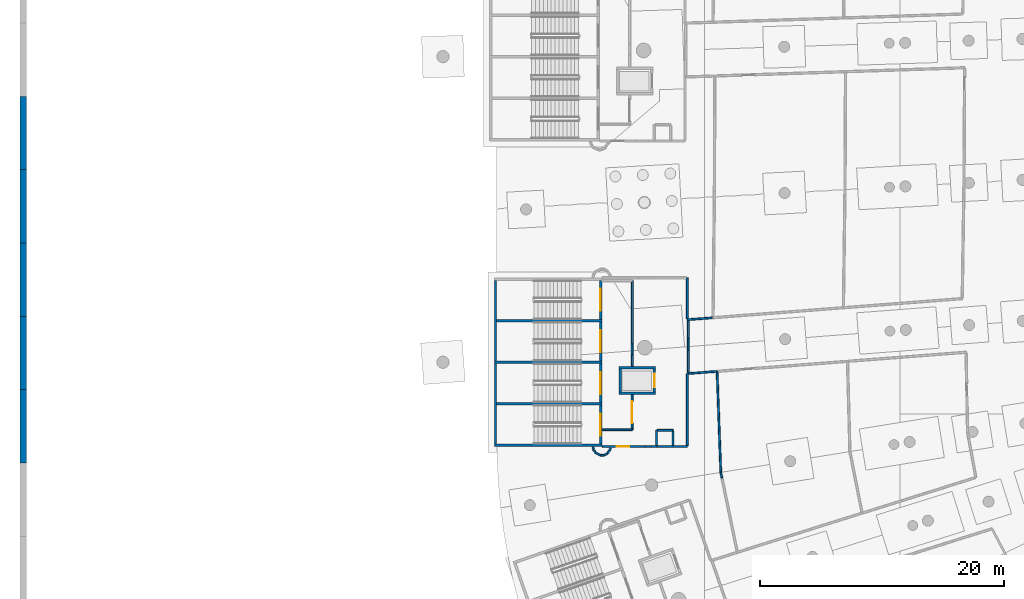
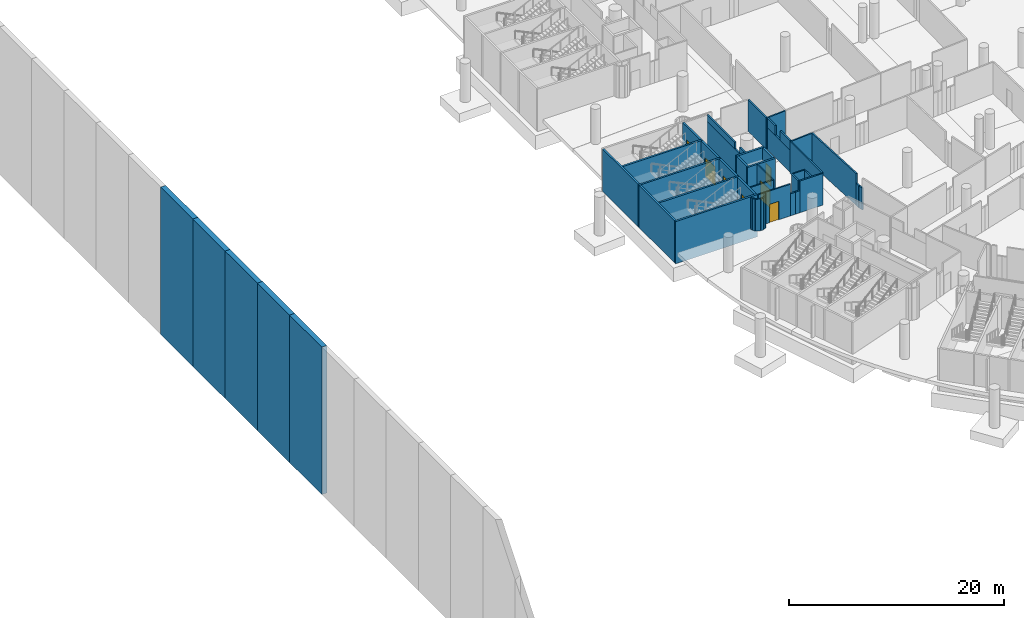
# One storey, part 44 of 142: 47 walls, 7 doors, 7 openings.
"""IFC4 building model written with IfcOpenShell, lengths in metres."""

from ifc_helpers import new_model, si_unit, direction, frame, frame_2d, origin, place, context, subcontext, project, spatial, rectangle, extrude, material, layer, layer_set, type_object, element, fill, save


model = new_model("IFC4")

# Units and contexts
model_context = context("Model", 3, precision=1e-05, world=origin(), true_north=direction((0.0, 1.0)))
body_context = subcontext(model_context, "Body", "Model", "MODEL_VIEW")
ifc_project = project(units=[si_unit("LENGTHUNIT", "METRE"), si_unit("AREAUNIT", "SQUARE_METRE"), si_unit("VOLUMEUNIT", "CUBIC_METRE"), si_unit("PLANEANGLEUNIT", "RADIAN"), si_unit("MASSUNIT", "GRAM", prefix="KILO")], contexts=[model_context])

# Site, building, storey
site_placement = place(None, origin())
site = spatial("IfcSite", under=ifc_project, at=site_placement, CompositionType="ELEMENT")
building_placement = place(site_placement, origin())
building = spatial("IfcBuilding", under=site, at=building_placement, Name="Meseta Stadium", CompositionType="ELEMENT")
storey_placement = place(building_placement, frame((0.0, 0.0, -4.0)))
storey = spatial("IfcBuildingStorey", under=building, at=storey_placement, Name="B1", CompositionType="ELEMENT", Elevation=-4.0)

# Walls
ifc_material_1 = material(Name="Concrete C40/50", Category="concrete")
ifc_layer_1 = layer(ifc_material_1, 0.199951171875)
ifc_layer_set_1 = layer_set([ifc_layer_1], Name="Core divider wall 200")
wall_type_1 = type_object("IfcWallType", Name="Core divider wall 200", PredefinedType="SHEAR", material=ifc_layer_set_1)
for number, where, z_axis, x_axis, name in (
    (1, (-97.199951171875, -40.35009765625, -1.199951171875), (0.0, 0.0, 1.0), (1.0, 0.0, 0.0), "Core 19 B1 stair A divider wall"),
    (2, (-97.199951171875, -47.14990234375, -1.199951171875), (0.0, 0.0, 1.0), (1.0, 0.0, 0.0), "Core 19 B1 stair B divider wall"),
):
    element("IfcWall", number, at=place(storey_placement, frame(where, z_axis=z_axis, x_axis=x_axis)), inside=storey, type_object=wall_type_1, Name=name, PredefinedType="SHEAR", context=body_context, shape_type="SweptSolid", body=[
        extrude(rectangle(XDim=8.800048828125, YDim=0.199951171875, at=frame_2d((4.39990234375, 0.0))), origin(), (0.0, 0.0, 1.0), 4.800048828125),
    ])
ifc_material_2 = material(Name="Concrete C40/50", Category="concrete")
ifc_layer_2 = layer(ifc_material_2, 0.199951171875)
ifc_layer_set_2 = layer_set([ifc_layer_2], Name="Core shaft wall 200")
wall_type_2 = type_object("IfcWallType", Name="Core shaft wall 200", PredefinedType="SHEAR", material=ifc_layer_set_2)
for number, where, z_axis, x_axis, name in (
    (3, (-97.199951171875, -43.75, -1.199951171875), (0.0, 0.0, 1.0), (1.0, 0.0, 0.0), "Core 19 B1 stair wall shared"),
    (4, (-97.199951171875, -50.550048828125, -1.199951171875), (0.0, 0.0, 1.0), (1.0, 0.0, 0.0), "Core 19 B1 stair wall B-side"),
):
    element("IfcWall", number, at=place(storey_placement, frame(where, z_axis=z_axis, x_axis=x_axis)), inside=storey, type_object=wall_type_2, Name=name, PredefinedType="SHEAR", context=body_context, shape_type="SweptSolid", body=[
        extrude(rectangle(XDim=8.800048828125, YDim=0.199951171875, at=frame_2d((4.39990234375, 0.0))), origin(), (0.0, 0.0, 1.0), 4.800048828125),
    ])
for number, where, z_axis, x_axis, name in (
    (5, (-97.10009765625, -37.050048828125, -1.199951171875), (0.0, 0.0, 1.0), (0.0, -1.0, 0.0), "Core 19 B1 stair A outer end wall"),
    (6, (-97.10009765625, -43.85009765625, -1.199951171875), (0.0, 0.0, 1.0), (0.0, -1.0, 0.0), "Core 19 B1 stair B outer end wall"),
):
    element("IfcWall", number, at=place(storey_placement, frame(where, z_axis=z_axis, x_axis=x_axis)), inside=storey, type_object=wall_type_2, Name=name, PredefinedType="SHEAR", context=body_context, shape_type="SweptSolid", body=[
        extrude(rectangle(XDim=6.599853515625, YDim=0.199951171875, at=frame_2d((3.2998046875, 0.0))), origin(), (0.0, 0.0, 1.0), 4.800048828125),
    ])

# Wall, opening, door
wall_1_placement = place(storey_placement, frame((-88.5, -37.050048828125, -1.199951171875), z_axis=(0.0, 0.0, 1.0), x_axis=(0.0, -1.0, 0.0)))
wall_1 = element("IfcWall", 7, at=wall_1_placement, inside=storey, type_object=wall_type_2, Name="Core 19 B1 stair A1 inner end wall", PredefinedType="SHEAR", context=body_context, shape_type="SweptSolid", body=[
    extrude(rectangle(XDim=3.199951171875, YDim=0.199951171875, at=frame_2d((1.60009765625, 0.0))), origin(), (0.0, 0.0, 1.0), 4.800048828125),
])
opening_1_placement = place(wall_1_placement, frame((0.699951171875, 0.0, 1.199951171875)))
opening_1 = element("IfcOpeningElement", 8, at=opening_1_placement, cuts=wall_1, Name="Opening D257", PredefinedType="OPENING", context=body_context, shape_type="SweptSolid", body=[
    extrude(rectangle(XDim=1.800048828125, YDim=2.10009765625, at=frame_2d((0.89990234375, 1.050048828125))), frame((0.0, 0.10986328125, 0.0), z_axis=(0.0, -1.0, 0.0), x_axis=(1.0, 0.0, 0.0)), (0.0, 0.0, 1.0), 0.219970703125),
])
ifc_material_3 = material(Name="Steel", Category="steel")
door_type_1 = type_object("IfcDoorType", Name="Stair door 1800x2100", OperationType="DOUBLE_DOOR_SINGLE_SWING", PredefinedType="DOOR", material=ifc_material_3)
door_1_placement = place(opening_1_placement, origin())
door_1 = element("IfcDoor", 9, at=door_1_placement, inside=storey, type_object=door_type_1, Name="Stair A1 door 19 B1", OperationType="DOUBLE_DOOR_SINGLE_SWING", OverallHeight=2.10009765625, OverallWidth=1.800048828125, PredefinedType="DOOR", context=body_context, shape_type="SweptSolid", body=[
    extrude(rectangle(XDim=1.800048828125, YDim=2.10009765625, at=frame_2d((0.89990234375, 1.050048828125))), frame((0.0, 0.02490234375, 0.0), z_axis=(0.0, -1.0, 0.0), x_axis=(1.0, 0.0, 0.0)), (0.0, 0.0, 1.0), 0.050048828125),
])
fill(opening_1, door_1)

wall_2_placement = place(storey_placement, frame((-88.5, -40.449951171875, -1.199951171875), z_axis=(0.0, 0.0, 1.0), x_axis=(0.0, -1.0, 0.0)))
wall_2 = element("IfcWall", 10, at=wall_2_placement, inside=storey, type_object=wall_type_2, Name="Core 19 B1 stair A2 inner end wall", PredefinedType="SHEAR", context=body_context, shape_type="SweptSolid", body=[
    extrude(rectangle(XDim=3.199951171875, YDim=0.199951171875, at=frame_2d((1.60009765625, 0.0))), origin(), (0.0, 0.0, 1.0), 4.800048828125),
])
opening_2_placement = place(wall_2_placement, frame((0.699951171875, 0.0, 1.199951171875)))
opening_2 = element("IfcOpeningElement", 11, at=opening_2_placement, cuts=wall_2, Name="Opening D258", PredefinedType="OPENING", context=body_context, shape_type="SweptSolid", body=[
    extrude(rectangle(XDim=1.800048828125, YDim=2.10009765625, at=frame_2d((0.89990234375, 1.050048828125))), frame((0.0, 0.10986328125, 0.0), z_axis=(0.0, -1.0, 0.0), x_axis=(1.0, 0.0, 0.0)), (0.0, 0.0, 1.0), 0.219970703125),
])
door_2_placement = place(opening_2_placement, origin())
door_2 = element("IfcDoor", 12, at=door_2_placement, inside=storey, type_object=door_type_1, Name="Stair A2 door 19 B1", OperationType="DOUBLE_DOOR_SINGLE_SWING", OverallHeight=2.10009765625, OverallWidth=1.800048828125, PredefinedType="DOOR", context=body_context, shape_type="SweptSolid", body=[
    extrude(rectangle(XDim=1.800048828125, YDim=2.10009765625, at=frame_2d((0.89990234375, 1.050048828125))), frame((0.0, 0.02490234375, 0.0), z_axis=(0.0, -1.0, 0.0), x_axis=(1.0, 0.0, 0.0)), (0.0, 0.0, 1.0), 0.050048828125),
])
fill(opening_2, door_2)

wall_3_placement = place(storey_placement, frame((-88.5, -43.85009765625, -1.199951171875), z_axis=(0.0, 0.0, 1.0), x_axis=(0.0, -1.0, 0.0)))
wall_3 = element("IfcWall", 13, at=wall_3_placement, inside=storey, type_object=wall_type_2, Name="Core 19 B1 stair B1 inner end wall", PredefinedType="SHEAR", context=body_context, shape_type="SweptSolid", body=[
    extrude(rectangle(XDim=3.199951171875, YDim=0.199951171875, at=frame_2d((1.60009765625, 0.0))), origin(), (0.0, 0.0, 1.0), 4.800048828125),
])
opening_3_placement = place(wall_3_placement, frame((0.699951171875, 0.0, 1.199951171875)))
opening_3 = element("IfcOpeningElement", 14, at=opening_3_placement, cuts=wall_3, Name="Opening D259", PredefinedType="OPENING", context=body_context, shape_type="SweptSolid", body=[
    extrude(rectangle(XDim=1.800048828125, YDim=2.10009765625, at=frame_2d((0.89990234375, 1.050048828125))), frame((0.0, 0.10986328125, 0.0), z_axis=(0.0, -1.0, 0.0), x_axis=(1.0, 0.0, 0.0)), (0.0, 0.0, 1.0), 0.219970703125),
])
door_3_placement = place(opening_3_placement, origin())
door_3 = element("IfcDoor", 15, at=door_3_placement, inside=storey, type_object=door_type_1, Name="Stair B1 door 19 B1", OperationType="DOUBLE_DOOR_SINGLE_SWING", OverallHeight=2.10009765625, OverallWidth=1.800048828125, PredefinedType="DOOR", context=body_context, shape_type="SweptSolid", body=[
    extrude(rectangle(XDim=1.800048828125, YDim=2.10009765625, at=frame_2d((0.89990234375, 1.050048828125))), frame((0.0, 0.02490234375, 0.0), z_axis=(0.0, -1.0, 0.0), x_axis=(1.0, 0.0, 0.0)), (0.0, 0.0, 1.0), 0.050048828125),
])
fill(opening_3, door_3)

wall_4_placement = place(storey_placement, frame((-88.5, -47.25, -1.199951171875), z_axis=(0.0, 0.0, 1.0), x_axis=(0.0, -1.0, 0.0)))
wall_4 = element("IfcWall", 16, at=wall_4_placement, inside=storey, type_object=wall_type_2, Name="Core 19 B1 stair B2 inner end wall", PredefinedType="SHEAR", context=body_context, shape_type="SweptSolid", body=[
    extrude(rectangle(XDim=3.199951171875, YDim=0.199951171875, at=frame_2d((1.60009765625, 0.0))), origin(), (0.0, 0.0, 1.0), 4.800048828125),
])
opening_4_placement = place(wall_4_placement, frame((0.699951171875, 0.0, 1.199951171875)))
opening_4 = element("IfcOpeningElement", 17, at=opening_4_placement, cuts=wall_4, Name="Opening D260", PredefinedType="OPENING", context=body_context, shape_type="SweptSolid", body=[
    extrude(rectangle(XDim=1.800048828125, YDim=2.10009765625, at=frame_2d((0.89990234375, 1.050048828125))), frame((0.0, 0.10986328125, 0.0), z_axis=(0.0, -1.0, 0.0), x_axis=(1.0, 0.0, 0.0)), (0.0, 0.0, 1.0), 0.219970703125),
])
door_4_placement = place(opening_4_placement, origin())
door_4 = element("IfcDoor", 18, at=door_4_placement, inside=storey, type_object=door_type_1, Name="Stair B2 door 19 B1", OperationType="DOUBLE_DOOR_SINGLE_SWING", OverallHeight=2.10009765625, OverallWidth=1.800048828125, PredefinedType="DOOR", context=body_context, shape_type="SweptSolid", body=[
    extrude(rectangle(XDim=1.800048828125, YDim=2.10009765625, at=frame_2d((0.89990234375, 1.050048828125))), frame((0.0, 0.02490234375, 0.0), z_axis=(0.0, -1.0, 0.0), x_axis=(1.0, 0.0, 0.0)), (0.0, 0.0, 1.0), 0.050048828125),
])
fill(opening_4, door_4)

# Walls
for number, where, z_axis, x_axis, name in (
    (19, (-87.0, -44.199951171875, -1.199951171875), (0.0, 0.0, 1.0), (1.0, 0.0, 0.0), "Core 19 B1 lift shaft wall left"),
    (20, (-87.0, -46.300048828125, -1.199951171875), (0.0, 0.0, 1.0), (1.0, 0.0, 0.0), "Core 19 B1 lift shaft wall right"),
):
    element("IfcWall", number, at=place(storey_placement, frame(where, z_axis=z_axis, x_axis=x_axis)), inside=storey, type_object=wall_type_2, Name=name, PredefinedType="SHEAR", context=body_context, shape_type="SweptSolid", body=[
        extrude(rectangle(XDim=3.0, YDim=0.199951171875, at=frame_2d((1.5, 0.0))), origin(), (0.0, 0.0, 1.0), 4.800048828125),
    ])
wall_5_placement = place(storey_placement, frame((-86.89990234375, -44.300048828125, -1.199951171875), z_axis=(0.0, 0.0, 1.0), x_axis=(0.0, -1.0, 0.0)))
element("IfcWall", 21, at=wall_5_placement, inside=storey, type_object=wall_type_2, Name="Core 19 B1 lift shaft back wall", PredefinedType="SHEAR", context=body_context, shape_type="SweptSolid", body=[
    extrude(rectangle(XDim=1.89990234375, YDim=0.199951171875, at=frame_2d((0.949951171875, 0.0))), origin(), (0.0, 0.0, 1.0), 4.800048828125),
])

# Wall, opening, door
wall_6_placement = place(storey_placement, frame((-84.10009765625, -44.300048828125, -1.199951171875), z_axis=(0.0, 0.0, 1.0), x_axis=(0.0, -1.0, 0.0)))
wall_6 = element("IfcWall", 22, at=wall_6_placement, inside=storey, type_object=wall_type_2, Name="Core 19 B1 lift shaft front wall", PredefinedType="SHEAR", context=body_context, shape_type="SweptSolid", body=[
    extrude(rectangle(XDim=1.89990234375, YDim=0.199951171875, at=frame_2d((0.949951171875, 0.0))), origin(), (0.0, 0.0, 1.0), 4.800048828125),
])
opening_5_placement = place(wall_6_placement, frame((0.39990234375, 0.0, 1.199951171875)))
opening_5 = element("IfcOpeningElement", 23, at=opening_5_placement, cuts=wall_6, Name="Opening LD103", PredefinedType="OPENING", context=body_context, shape_type="SweptSolid", body=[
    extrude(rectangle(XDim=1.10009765625, YDim=2.10009765625, at=frame_2d((0.550048828125, 1.050048828125))), frame((0.0, 0.10986328125, 0.0), z_axis=(0.0, -1.0, 0.0), x_axis=(1.0, 0.0, 0.0)), (0.0, 0.0, 1.0), 0.219970703125),
])
ifc_material_4 = material(Name="Steel", Category="steel")
door_type_2 = type_object("IfcDoorType", Name="Lift landing door 1100x2100", OperationType="SLIDING_TO_LEFT", PredefinedType="DOOR", material=ifc_material_4)
door_5_placement = place(opening_5_placement, origin())
door_5 = element("IfcDoor", 24, at=door_5_placement, inside=storey, type_object=door_type_2, Name="Lift landing door LD103", OperationType="SLIDING_TO_LEFT", OverallHeight=2.10009765625, OverallWidth=1.10009765625, PredefinedType="DOOR", context=body_context, shape_type="SweptSolid", body=[
    extrude(rectangle(XDim=1.10009765625, YDim=2.10009765625, at=frame_2d((0.550048828125, 1.050048828125))), frame((0.0, 0.02490234375, 0.0), z_axis=(0.0, -1.0, 0.0), x_axis=(1.0, 0.0, 0.0)), (0.0, 0.0, 1.0), 0.050048828125),
])
fill(opening_5, door_5)

# Walls
ifc_material_5 = material(Name="Masonry blockwork", Category="masonry")
ifc_layer_3 = layer(ifc_material_5, 0.14990234375)
ifc_layer_set_3 = layer_set([ifc_layer_3], Name="Partition 150")
wall_type_3 = type_object("IfcWallType", Name="Partition 150", PredefinedType="PARTITIONING", material=ifc_layer_set_3)
wall_7_placement = place(storey_placement, frame((-79.35595703125, -40.112548828125, 0.0), z_axis=(0.0, 0.0, 1.0), x_axis=(-0.997072672084, -0.076459705623, 0.0)))
element("IfcWall", 25, at=wall_7_placement, inside=storey, type_object=wall_type_3, Name="Partition B1 B1-cell17-3-0", PredefinedType="PARTITIONING", context=body_context, shape_type="SweptSolid", body=[
    extrude(rectangle(XDim=2.050048828125, YDim=0.14990234375, at=frame_2d((1.02490234375, 0.0))), origin(), (0.0, 0.0, 1.0), 3.60009765625),
])
wall_8_placement = place(storey_placement, frame((-81.39990234375, -40.194091796875, 0.0), z_axis=(0.0, 0.0, 1.0), x_axis=(0.0, 1.0, 0.0)))
element("IfcWall", 26, at=wall_8_placement, inside=storey, type_object=wall_type_3, Name="Partition B1 B1-cell17-3-0", PredefinedType="PARTITIONING", context=body_context, shape_type="SweptSolid", body=[
    extrude(rectangle(XDim=3.343994140625, YDim=0.14990234375, at=frame_2d((1.671875, 0.0))), origin(), (0.0, 0.0, 1.0), 3.60009765625),
])
wall_9_placement = place(storey_placement, frame((-78.572265625, -53.228515625, 0.0), z_axis=(0.0, 0.0, 1.0), x_axis=(-0.20270716315, 0.979239401785, 0.0)))
element("IfcWall", 27, at=wall_9_placement, inside=storey, type_object=wall_type_3, Name="Partition B1 B1-cell18-2-0", PredefinedType="PARTITIONING", context=body_context, shape_type="SweptSolid", body=[
    extrude(rectangle(XDim=0.47705078125, YDim=0.14990234375, at=frame_2d((0.238525390625, 0.0))), origin(), (0.0, 0.0, 1.0), 2.5),
])
wall_10_placement = place(storey_placement, frame((-78.6689453125, -52.761474609375, 0.0), z_axis=(0.0, 0.0, 1.0), x_axis=(-0.036622003428, 0.999329189439, 0.0)))
element("IfcWall", 28, at=wall_10_placement, inside=storey, type_object=wall_type_3, Name="Partition B1 B1-cell18-2-0", PredefinedType="PARTITIONING", context=body_context, shape_type="SweptSolid", body=[
    extrude(rectangle(XDim=0.486572265625, YDim=0.14990234375, at=frame_2d((0.2431640625, 0.0))), origin(), (0.0, 0.0, 1.0), 2.5),
])
wall_11_placement = place(storey_placement, frame((-78.686767578125, -52.275146484375, 0.0), z_axis=(0.0, 0.0, 1.0), x_axis=(-0.036317977956, 0.999340284626, 0.0)))
element("IfcWall", 29, at=wall_11_placement, inside=storey, type_object=wall_type_3, Name="Partition B1 B1-cell18-2-0", PredefinedType="PARTITIONING", context=body_context, shape_type="SweptSolid", body=[
    extrude(rectangle(XDim=7.784423828125, YDim=0.14990234375, at=frame_2d((3.89208984375, 0.0))), origin(), (0.0, 0.0, 1.0), 3.60009765625),
])

# Wall, opening, door
wall_12_placement = place(storey_placement, frame((-88.360107421875, -50.64990234375, 0.0), z_axis=(0.0, 0.0, 1.0), x_axis=(1.0, 0.0, 0.0)))
wall_12 = element("IfcWall", 30, at=wall_12_placement, inside=storey, type_object=wall_type_3, Name="Partition B1 B1-cell18-3-0", PredefinedType="PARTITIONING", context=body_context, shape_type="SweptSolid", body=[
    extrude(rectangle(XDim=3.480224609375, YDim=0.14990234375, at=frame_2d((1.740234375, 0.0))), origin(), (0.0, 0.0, 1.0), 3.60009765625),
])
opening_6_placement = place(wall_12_placement, frame((1.199951171875, 0.0, 0.0)))
opening_6 = element("IfcOpeningElement", 31, at=opening_6_placement, cuts=wall_12, Name="Opening D487", PredefinedType="OPENING", context=body_context, shape_type="SweptSolid", body=[
    extrude(rectangle(XDim=1.0, YDim=2.10009765625, at=frame_2d((0.5, 1.050048828125))), frame((0.0, 0.0849609375, 0.0), z_axis=(0.0, -1.0, 0.0), x_axis=(1.0, 0.0, 0.0)), (0.0, 0.0, 1.0), 0.169921875),
])
ifc_material_6 = material(Name="Steel", Category="steel")
door_type_3 = type_object("IfcDoorType", Name="Fire door 1000x2100 EI2 60", OperationType="NOTDEFINED", PredefinedType="DOOR", material=ifc_material_6)
door_6_placement = place(opening_6_placement, origin())
door_6 = element("IfcDoor", 32, at=door_6_placement, inside=storey, type_object=door_type_3, Name="Door D487", OperationType="SINGLE_SWING_LEFT", OverallHeight=2.10009765625, OverallWidth=1.0, PredefinedType="DOOR", context=body_context, shape_type="SweptSolid", body=[
    extrude(rectangle(XDim=1.0, YDim=2.10009765625, at=frame_2d((0.5, 1.050048828125))), frame((0.0, 0.02490234375, 0.0), z_axis=(0.0, -1.0, 0.0), x_axis=(1.0, 0.0, 0.0)), (0.0, 0.0, 1.0), 0.050048828125),
])
fill(opening_6, door_6)

# Walls
for number, where, z_axis, x_axis, name in (
    (33, (-84.8798828125, -50.64990234375, 0.0), (0.0, 0.0, 1.0), (1.0, 0.0, 0.0), "Partition B1 B1-cell18-3-0"),
    (34, (-84.3828125, -50.64990234375, 0.0), (0.0, 0.0, 1.0), (1.0, 0.0, 0.0), "Partition B1 B1-cell18-3-0"),
):
    element("IfcWall", number, at=place(storey_placement, frame(where, z_axis=z_axis, x_axis=x_axis)), inside=storey, type_object=wall_type_3, Name=name, PredefinedType="PARTITIONING", context=body_context, shape_type="SweptSolid", body=[
        extrude(rectangle(XDim=0.4970703125, YDim=0.14990234375, at=frame_2d((0.24853515625, 0.0))), origin(), (0.0, 0.0, 1.0), 2.5),
    ])
wall_13_placement = place(storey_placement, frame((-83.8857421875, -50.64990234375, 0.0), z_axis=(0.0, 0.0, 1.0), x_axis=(1.0, 0.0, 0.0)))
element("IfcWall", 35, at=wall_13_placement, inside=storey, type_object=wall_type_3, Name="Partition B1 B1-cell18-3-0", PredefinedType="PARTITIONING", context=body_context, shape_type="SweptSolid", body=[
    extrude(rectangle(XDim=2.48583984375, YDim=0.14990234375, at=frame_2d((1.242919921875, 0.0))), origin(), (0.0, 0.0, 1.0), 3.60009765625),
])
wall_14_placement = place(storey_placement, frame((-81.39990234375, -50.574951171875, 0.0), z_axis=(0.0, 0.0, 1.0), x_axis=(0.0, 1.0, 0.0)))
element("IfcWall", 36, at=wall_14_placement, inside=storey, type_object=wall_type_3, Name="Partition B1 B1-cell18-3-0", PredefinedType="PARTITIONING", context=body_context, shape_type="SweptSolid", body=[
    extrude(rectangle(XDim=5.892578125, YDim=0.14990234375, at=frame_2d((2.9462890625, 0.0))), origin(), (0.0, 0.0, 1.0), 3.60009765625),
])
wall_15_placement = place(storey_placement, frame((-81.324951171875, -44.676513671875, 0.0), z_axis=(0.0, 0.0, 1.0), x_axis=(0.997066273449, 0.076543101255, 0.0)))
element("IfcWall", 37, at=wall_15_placement, inside=storey, type_object=wall_type_3, Name="Partition B1 B1-cell18-3-0", PredefinedType="PARTITIONING", context=body_context, shape_type="SweptSolid", body=[
    extrude(rectangle(XDim=2.3125, YDim=0.14990234375, at=frame_2d((1.15625, 0.0))), origin(), (0.0, 0.0, 1.0), 3.60009765625),
])
wall_16_placement = place(storey_placement, frame((-83.925048828125, -49.324951171875, 0.0), z_axis=(0.0, 0.0, 1.0), x_axis=(0.0, -1.0, 0.0)))
element("IfcWall", 38, at=wall_16_placement, inside=storey, type_object=wall_type_3, Name="Pressurisation shaft wall B1 core 19", PredefinedType="PARTITIONING", context=body_context, shape_type="SweptSolid", body=[
    extrude(rectangle(XDim=1.2490234375, YDim=0.14990234375, at=frame_2d((0.62451171875, 0.0))), origin(), (0.0, 0.0, 1.0), 3.60009765625),
])
wall_17_placement = place(storey_placement, frame((-82.574951171875, -50.573974609375, 0.0), z_axis=(0.0, 0.0, 1.0), x_axis=(0.0, 1.0, 0.0)))
element("IfcWall", 39, at=wall_17_placement, inside=storey, type_object=wall_type_3, Name="Pressurisation shaft wall B1 core 19", PredefinedType="PARTITIONING", context=body_context, shape_type="SweptSolid", body=[
    extrude(rectangle(XDim=1.174072265625, YDim=0.14990234375, at=frame_2d((0.5869140625, 0.0))), origin(), (0.0, 0.0, 1.0), 3.60009765625),
])
wall_18_placement = place(storey_placement, frame((-82.574951171875, -49.324951171875, 0.0), z_axis=(0.0, 0.0, 1.0), x_axis=(-1.0, 0.0, 0.0)))
element("IfcWall", 40, at=wall_18_placement, inside=storey, type_object=wall_type_3, Name="Pressurisation shaft wall B1 core 19", PredefinedType="PARTITIONING", context=body_context, shape_type="SweptSolid", body=[
    extrude(rectangle(XDim=1.275146484375, YDim=0.14990234375, at=frame_2d((0.6376953125, 0.0))), origin(), (0.0, 0.0, 1.0), 3.60009765625),
])
wall_19_placement = place(storey_placement, frame((-88.389892578125, -49.27490234375, 0.0), z_axis=(0.0, 0.0, 1.0), x_axis=(1.0, 0.0, 0.0)))
element("IfcWall", 41, at=wall_19_placement, inside=storey, type_object=wall_type_3, Name="Stair vestibule wall B1 core 19", PredefinedType="PARTITIONING", context=body_context, shape_type="SweptSolid", body=[
    extrude(rectangle(XDim=2.46484375, YDim=0.14990234375, at=frame_2d((1.232421875, 0.0))), origin(), (0.0, 0.0, 1.0), 3.60009765625),
])

# Wall, opening, door
wall_20_placement = place(storey_placement, frame((-85.925048828125, -49.27490234375, 0.0), z_axis=(0.0, 0.0, 1.0), x_axis=(0.0, 1.0, 0.0)))
wall_20 = element("IfcWall", 42, at=wall_20_placement, inside=storey, type_object=wall_type_3, Name="Stair vestibule wall B1 core 19", PredefinedType="PARTITIONING", context=body_context, shape_type="SweptSolid", body=[
    extrude(rectangle(XDim=2.864990234375, YDim=0.14990234375, at=frame_2d((1.4326171875, 0.0))), origin(), (0.0, 0.0, 1.0), 3.60009765625),
])
opening_7_placement = place(wall_20_placement, frame((0.550048828125, 0.0, 0.0)))
opening_7 = element("IfcOpeningElement", 43, at=opening_7_placement, cuts=wall_20, Name="Opening D733", PredefinedType="OPENING", context=body_context, shape_type="SweptSolid", body=[
    extrude(rectangle(XDim=1.800048828125, YDim=2.10009765625, at=frame_2d((0.89990234375, 1.050048828125))), frame((0.0, 0.0849609375, 0.0), z_axis=(0.0, -1.0, 0.0), x_axis=(1.0, 0.0, 0.0)), (0.0, 0.0, 1.0), 0.169921875),
])
ifc_material_7 = material(Name="Steel", Category="steel")
door_type_4 = type_object("IfcDoorType", Name="Fire double door 1800x2100 EI2 60", OperationType="DOUBLE_DOOR_SINGLE_SWING", PredefinedType="DOOR", material=ifc_material_7)
door_7_placement = place(opening_7_placement, origin())
door_7 = element("IfcDoor", 44, at=door_7_placement, inside=storey, type_object=door_type_4, Name="Stair vestibule door B1 core 19", OperationType="DOUBLE_DOOR_SINGLE_SWING", OverallHeight=2.10009765625, OverallWidth=1.800048828125, PredefinedType="DOOR", context=body_context, shape_type="SweptSolid", body=[
    extrude(rectangle(XDim=1.800048828125, YDim=2.10009765625, at=frame_2d((0.89990234375, 1.050048828125))), frame((0.0, 0.02490234375, 0.0), z_axis=(0.0, -1.0, 0.0), x_axis=(1.0, 0.0, 0.0)), (0.0, 0.0, 1.0), 0.050048828125),
])
fill(opening_7, door_7)

# Walls
wall_21_placement = place(storey_placement, frame((-85.925048828125, -44.090087890625, 0.0), z_axis=(0.0, 0.0, 1.0), x_axis=(0.0, 1.0, 0.0)))
element("IfcWall", 45, at=wall_21_placement, inside=storey, type_object=wall_type_3, Name="Stair vestibule wall B1 core 19", PredefinedType="PARTITIONING", context=body_context, shape_type="SweptSolid", body=[
    extrude(rectangle(XDim=7.01513671875, YDim=0.14990234375, at=frame_2d((3.507568359375, 0.0))), origin(), (0.0, 0.0, 1.0), 2.85009765625),
])
wall_22_placement = place(storey_placement, frame((-85.925048828125, -44.090087890625, 2.85009765625), z_axis=(0.0, 0.0, 1.0), x_axis=(0.0, 1.0, 0.0)))
element("IfcWall", 46, at=wall_22_placement, inside=storey, type_object=wall_type_3, Name="Stair vestibule wall B1 core 19", PredefinedType="PARTITIONING", context=body_context, shape_type="SweptSolid", body=[
    extrude(rectangle(XDim=0.935302734375, YDim=0.14990234375, at=frame_2d((0.4677734375, 0.0))), origin(), (0.0, 0.0, 1.0), 0.75),
])
wall_23_placement = place(storey_placement, frame((-85.925048828125, -42.21923828125, 2.85009765625), z_axis=(0.0, 0.0, 1.0), x_axis=(0.0, 1.0, 0.0)))
element("IfcWall", 47, at=wall_23_placement, inside=storey, type_object=wall_type_3, Name="Stair vestibule wall B1 core 19", PredefinedType="PARTITIONING", context=body_context, shape_type="SweptSolid", body=[
    extrude(rectangle(XDim=5.144287109375, YDim=0.14990234375, at=frame_2d((2.572265625, 0.0))), origin(), (0.0, 0.0, 1.0), 0.75),
])
wall_24_placement = place(storey_placement, frame((-89.1298828125, -50.678466796875, 0.0), z_axis=(0.0, 0.0, 1.0), x_axis=(0.231150896285, -0.972917911823, 0.0)))
element("IfcWall", 48, at=wall_24_placement, inside=storey, type_object=wall_type_3, Name="Stair vestibule wall B1 core 19", PredefinedType="PARTITIONING", context=body_context, shape_type="SweptSolid", body=[
    extrude(rectangle(XDim=0.2578125, YDim=0.14990234375, at=frame_2d((0.12890625, 0.0))), origin(), (0.0, 0.0, 1.0), 3.60009765625),
])
wall_25_placement = place(storey_placement, frame((-89.0703125, -50.92919921875, 0.0), z_axis=(0.0, 0.0, 1.0), x_axis=(0.555678694372, -0.831397130511, 0.0)))
element("IfcWall", 49, at=wall_25_placement, inside=storey, type_object=wall_type_3, Name="Stair vestibule wall B1 core 19", PredefinedType="PARTITIONING", context=body_context, shape_type="SweptSolid", body=[
    extrude(rectangle(XDim=0.287841796875, YDim=0.14990234375, at=frame_2d((0.14404296875, 0.0))), origin(), (0.0, 0.0, 1.0), 3.60009765625),
])
wall_26_placement = place(storey_placement, frame((-88.910400390625, -51.16845703125, 0.0), z_axis=(0.0, 0.0, 1.0), x_axis=(0.903893315025, -0.427757963167, 0.0)))
element("IfcWall", 50, at=wall_26_placement, inside=storey, type_object=wall_type_3, Name="Stair vestibule wall B1 core 19", PredefinedType="PARTITIONING", context=body_context, shape_type="SweptSolid", body=[
    extrude(rectangle(XDim=0.4794921875, YDim=0.14990234375, at=frame_2d((0.23974609375, 0.0))), origin(), (0.0, 0.0, 1.0), 3.60009765625),
])
for number, where, z_axis, x_axis, name in (
    (51, (-88.47705078125, -51.37353515625, 0.0), (0.0, 0.0, 1.0), (0.995194714408, 0.097915680128, 0.0), "Stair vestibule wall B1 core 19"),
    (52, (-88.189208984375, -51.34521484375, 0.0), (0.0, 0.0, 1.0), (0.881768319, 0.471682765858, 0.0), "Stair vestibule wall B1 core 19"),
):
    element("IfcWall", number, at=place(storey_placement, frame(where, z_axis=z_axis, x_axis=x_axis)), inside=storey, type_object=wall_type_3, Name=name, PredefinedType="PARTITIONING", context=body_context, shape_type="SweptSolid", body=[
        extrude(rectangle(XDim=0.289306640625, YDim=0.14990234375, at=frame_2d((0.14453125, 0.0))), origin(), (0.0, 0.0, 1.0), 3.60009765625),
    ])
wall_27_placement = place(storey_placement, frame((-87.93408203125, -51.208740234375, 0.0), z_axis=(0.0, 0.0, 1.0), x_axis=(0.513060623194, 0.858352373404, 0.0)))
element("IfcWall", 53, at=wall_27_placement, inside=storey, type_object=wall_type_3, Name="Stair vestibule wall B1 core 19", PredefinedType="PARTITIONING", context=body_context, shape_type="SweptSolid", body=[
    extrude(rectangle(XDim=0.50048828125, YDim=0.14990234375, at=frame_2d((0.250244140625, 0.0))), origin(), (0.0, 0.0, 1.0), 3.60009765625),
])
wall_28_placement = place(storey_placement, frame((-81.324951171875, -44.594482421875, 0.0), z_axis=(0.0, 0.0, 1.0), x_axis=(0.0, 1.0, 0.0)))
element("IfcWall", 54, at=wall_28_placement, inside=storey, type_object=wall_type_3, Name="Stair vestibule wall B1 core 19", PredefinedType="PARTITIONING", context=body_context, shape_type="SweptSolid", body=[
    extrude(rectangle(XDim=4.24072265625, YDim=0.14990234375, at=frame_2d((2.120361328125, 0.0))), origin(), (0.0, 0.0, 1.0), 2.5),
])
wall_29_placement = place(storey_placement, frame((-81.324951171875, -44.594482421875, 2.5), z_axis=(0.0, 0.0, 1.0), x_axis=(0.0, 1.0, 0.0)))
element("IfcWall", 55, at=wall_29_placement, inside=storey, type_object=wall_type_3, Name="Stair vestibule wall B1 core 19", PredefinedType="PARTITIONING", context=body_context, shape_type="SweptSolid", body=[
    extrude(rectangle(XDim=1.841552734375, YDim=0.14990234375, at=frame_2d((0.9208984375, 0.0))), origin(), (0.0, 0.0, 1.0), 1.10009765625),
])
wall_30_placement = place(storey_placement, frame((-81.324951171875, -41.793212890625, 2.5), z_axis=(0.0, 0.0, 1.0), x_axis=(0.0, 1.0, 0.0)))
element("IfcWall", 56, at=wall_30_placement, inside=storey, type_object=wall_type_3, Name="Stair vestibule wall B1 core 19", PredefinedType="PARTITIONING", context=body_context, shape_type="SweptSolid", body=[
    extrude(rectangle(XDim=1.439453125, YDim=0.14990234375, at=frame_2d((0.7197265625, 0.0))), origin(), (0.0, 0.0, 1.0), 1.10009765625),
])
ifc_material_8 = material(Name="Concrete C30/37", Category="concrete")
ifc_layer_4 = layer(ifc_material_8, 0.550048828125)
ifc_layer_set_4 = layer_set([ifc_layer_4], Name="Site retaining wall 550")
wall_type_4 = type_object("IfcWallType", Name="Site retaining wall 550", PredefinedType="SOLIDWALL", material=ifc_layer_set_4)
wall_31_placement = place(storey_placement, frame((-135.72509765625, -22.0, -13.0), z_axis=(0.0, 0.0, 1.0), x_axis=(0.0, -1.0, 0.0)))
element("IfcWall", 57, at=wall_31_placement, inside=storey, type_object=wall_type_4, Name="Site retaining wall 171", PredefinedType="SOLIDWALL", context=body_context, shape_type="SweptSolid", body=[
    extrude(rectangle(XDim=6.0, YDim=0.550048828125, at=frame_2d((3.0, 0.0))), origin(), (0.0, 0.0, 1.0), 16.75),
])
wall_32_placement = place(storey_placement, frame((-135.72509765625, -28.0, -13.0), z_axis=(0.0, 0.0, 1.0), x_axis=(0.0, -1.0, 0.0)))
element("IfcWall", 58, at=wall_32_placement, inside=storey, type_object=wall_type_4, Name="Site retaining wall 172", PredefinedType="SOLIDWALL", context=body_context, shape_type="SweptSolid", body=[
    extrude(rectangle(XDim=5.999755859375, YDim=0.550048828125, at=frame_2d((3.0, 0.0))), origin(), (0.0, 0.0, 1.0), 16.75),
])
for number, where, z_axis, x_axis, name in (
    (59, (-135.72509765625, -33.999755859375, -13.0), (0.0, 0.0, 1.0), (0.0, -1.0, 0.0), "Site retaining wall 173"),
    (60, (-135.72509765625, -39.999755859375, -13.0), (0.0, 0.0, 1.0), (0.0, -1.0, 0.0), "Site retaining wall 174"),
    (61, (-135.72509765625, -45.999755859375, -13.0), (0.0, 0.0, 1.0), (0.0, -1.0, 0.0), "Site retaining wall 175"),
):
    element("IfcWall", number, at=place(storey_placement, frame(where, z_axis=z_axis, x_axis=x_axis)), inside=storey, type_object=wall_type_4, Name=name, PredefinedType="SOLIDWALL", context=body_context, shape_type="SweptSolid", body=[
        extrude(rectangle(XDim=6.0, YDim=0.550048828125, at=frame_2d((3.0, 0.0))), origin(), (0.0, 0.0, 1.0), 16.75),
    ])

save(model, "model.ifc")
